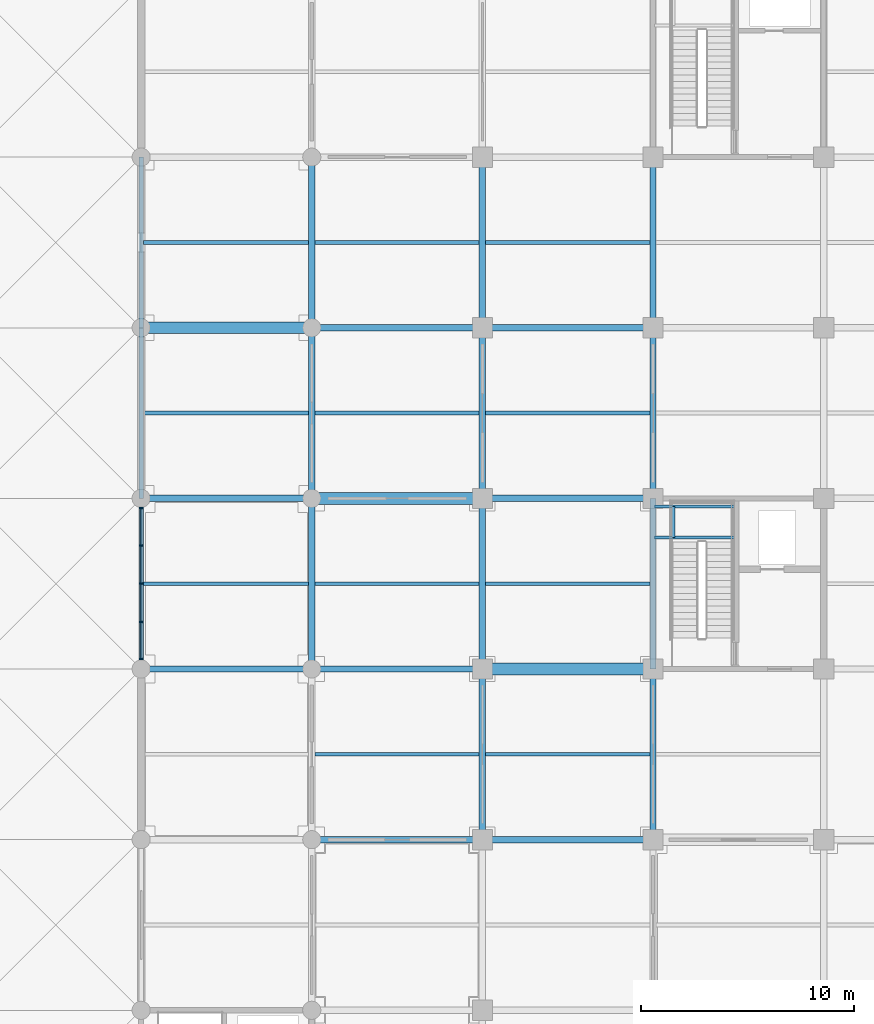
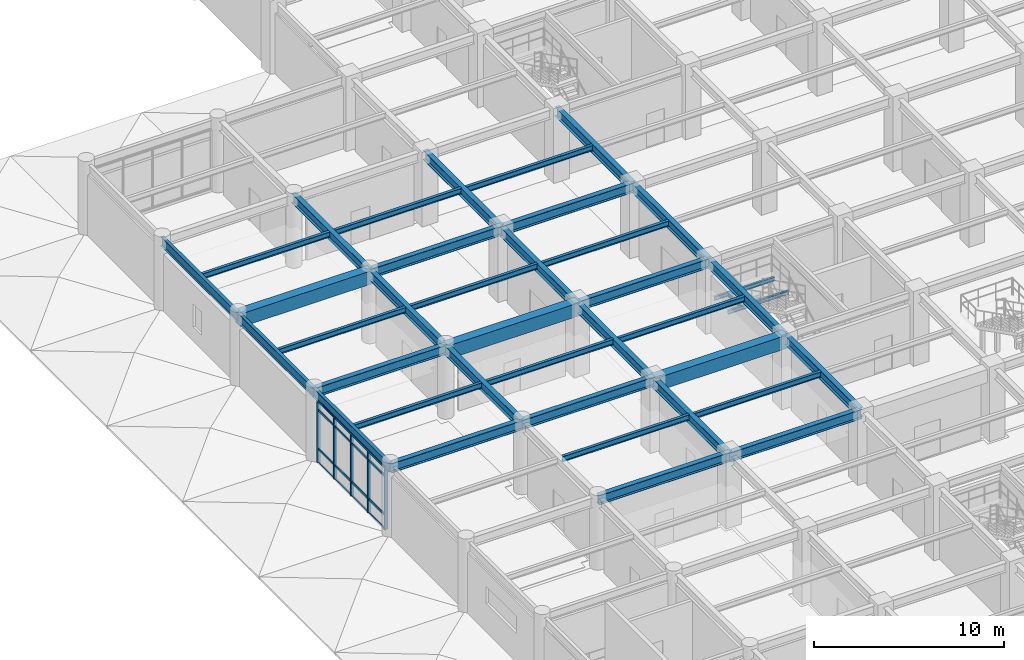
# One storey, part 17 of 109: 39 beams, 21 members, 1 element without a shape of its own.
"""IFC4 building model written with IfcOpenShell, lengths in metres."""

import ifcopenshell
import ifcopenshell.guid

model = None  # the IFC model being written
_history = None  # IfcOwnerHistory: only IFC2X3 demands one
_inside = {}  # id of a spatial element -> (the spatial element, [elements in it])
_under = {}  # id of a project, library or spatial element -> (it, [spatial elements below it])
_declared = {}  # id of a project -> (the project, [libraries it declares])
_typed = {}  # id of a type object -> (the type object, [elements of that type])
_made_of = {}  # id of a material, layer set ... -> (it, [elements and type objects made of it])


def new_model(schema):
    """Start an empty IFC model of exactly this schema.

    Asked for "IFC4X3", IfcOpenShell would pick the latest addendum, in which some entities
    have other attributes; the version numbers below select the first issue.
    IFC2X3 requires an IfcOwnerHistory on every rooted entity: one is made here for all.
    """
    global model, _history
    if schema == "IFC4X3":
        model = ifcopenshell.file(schema_version=(4, 3, 0, 0))
    else:
        model = ifcopenshell.file(schema=schema)
    _inside.clear()
    _under.clear()
    _declared.clear()
    _typed.clear()
    _made_of.clear()
    _history = None
    if model.schema == "IFC2X3":
        org = make("IfcOrganization", Name="unknown")
        user = make(
            "IfcPersonAndOrganization",
            ThePerson=make("IfcPerson", FamilyName="unknown"),
            TheOrganization=org,
        )
        app = make(
            "IfcApplication",
            ApplicationDeveloper=org,
            Version="unknown",
            ApplicationFullName="unknown",
            ApplicationIdentifier="unknown",
        )
        _history = make(
            "IfcOwnerHistory",
            OwningUser=user,
            OwningApplication=app,
            ChangeAction="ADDED",
            CreationDate=0,
        )
    return model


def make(cls, **values):
    """One entity of the class cls with the attributes given. An attribute that is None is left unset."""
    return model.create_entity(
        cls, **{name: value for name, value in values.items() if value is not None}
    )


def rooted(cls, **values):
    """An entity with a GlobalId (a new one), such as an element, a storey or a relation."""
    return make(cls, GlobalId=ifcopenshell.guid.new(), OwnerHistory=_history, **values)


def si_unit(unit_type, name, prefix=None):
    """IfcSIUnit, for example si_unit("LENGTHUNIT", "METRE", prefix="MILLI")."""
    return make("IfcSIUnit", UnitType=unit_type, Prefix=prefix, Name=name)


def assignment(units):
    """IfcUnitAssignment: the units of a project."""
    return None if units is None else make("IfcUnitAssignment", Units=units)


def point(xyz):
    """IfcCartesianPoint."""
    return None if xyz is None else make("IfcCartesianPoint", Coordinates=xyz)


def direction(xyz):
    """IfcDirection."""
    return None if xyz is None else make("IfcDirection", DirectionRatios=xyz)


def frame(location, z_axis=None, x_axis=None):
    """IfcAxis2Placement3D, a coordinate frame: its origin and axes. An axis left out is left unset."""
    return make(
        "IfcAxis2Placement3D",
        Location=point(location),
        Axis=direction(z_axis),
        RefDirection=direction(x_axis),
    )


def frame_2d(location, x_axis=None):
    """IfcAxis2Placement2D, a coordinate frame in the plane: its origin and x axis."""
    return make(
        "IfcAxis2Placement2D", Location=point(location), RefDirection=direction(x_axis)
    )


def origin():
    """The frame at (0, 0, 0) with its axes left unset."""
    return frame((0.0, 0.0, 0.0))


def origin_2d():
    """The frame at (0, 0) in the plane with its x axis left unset."""
    return frame_2d((0.0, 0.0))


def place(relative_to, where):
    """IfcLocalPlacement: puts the frame where relative to a parent placement (None: the world)."""
    return make(
        "IfcLocalPlacement", PlacementRelTo=relative_to, RelativePlacement=where
    )


def context(
    kind, dimensions, precision=None, world=None, true_north=None, identifier=None
):
    """IfcGeometricRepresentationContext, for example the 3D "Model" context."""
    return make(
        "IfcGeometricRepresentationContext",
        ContextIdentifier=identifier,
        ContextType=kind,
        CoordinateSpaceDimension=dimensions,
        Precision=precision,
        WorldCoordinateSystem=world,
        TrueNorth=true_north,
    )


def subcontext(parent, identifier, kind, view, scale=None):
    """IfcGeometricRepresentationSubContext, for example "Body" below "Model"."""
    return make(
        "IfcGeometricRepresentationSubContext",
        ContextIdentifier=identifier,
        ContextType=kind,
        ParentContext=parent,
        TargetScale=scale,
        TargetView=view,
    )


def project(units=None, contexts=None):
    """IfcProject with its units and contexts."""
    return rooted(
        "IfcProject",
        Name="project",
        RepresentationContexts=contexts,
        UnitsInContext=assignment(units),
    )


def spatial(cls, under=None, at=None, **own):
    """A site, building, storey or space (cls), placed at a placement, below another one or the project."""
    s = rooted(cls, ObjectPlacement=at, **own)
    if under is not None:
        _under.setdefault(under.id(), (under, []))[1].append(s)
    return s


def profile(cls, at=None, kind="AREA", **sizes):
    """A parametric profile (cls). Its sizes go by their IFC names, for example OverallWidth=200.0."""
    return make(cls, ProfileType=kind, Position=at, **sizes)


def rectangle(**sizes):
    """IfcRectangleProfileDef."""
    return profile("IfcRectangleProfileDef", **sizes)


def i_section(**sizes):
    """IfcIShapeProfileDef."""
    return profile("IfcIShapeProfileDef", **sizes)


def extrude(swept, where, along, depth):
    """IfcExtrudedAreaSolid: the profile swept, set in the frame where, extruded along a direction by depth."""
    return make(
        "IfcExtrudedAreaSolid",
        SweptArea=swept,
        Position=where,
        ExtrudedDirection=direction(along),
        Depth=depth,
    )


def shape(context_of_items, identifier, shape_type, items):
    """IfcShapeRepresentation: the items that make up one representation, for example the "Body"."""
    return make(
        "IfcShapeRepresentation",
        ContextOfItems=context_of_items,
        RepresentationIdentifier=identifier,
        RepresentationType=shape_type,
        Items=items,
    )


def material(Name=None, Category=None):
    """IfcMaterial."""
    return make("IfcMaterial", Name=Name, Category=Category)


def layer(
    of_material, thickness, ventilated=None, Name=None, Category=None, Priority=None
):
    """IfcMaterialLayer: one layer of a wall or slab, of a material (None: an air gap)."""
    return make(
        "IfcMaterialLayer",
        Material=of_material,
        LayerThickness=thickness,
        IsVentilated=ventilated,
        Name=Name,
        Category=Category,
        Priority=Priority,
    )


def layer_set(layers, Name=None):
    """IfcMaterialLayerSet."""
    return make("IfcMaterialLayerSet", MaterialLayers=layers, LayerSetName=Name)


def material_profile(
    of_material, cross_section, Name=None, Category=None, Priority=None
):
    """IfcMaterialProfile: a cross section and its material."""
    return make(
        "IfcMaterialProfile",
        Name=Name,
        Material=of_material,
        Profile=cross_section,
        Priority=Priority,
        Category=Category,
    )


def profile_set(profiles, Name=None, composite=None):
    """IfcMaterialProfileSet."""
    return make(
        "IfcMaterialProfileSet",
        Name=Name,
        MaterialProfiles=profiles,
        CompositeProfile=composite,
    )


def made_of(thing, what):
    """Note that an element or type object is made of a material, layer set ...; save() writes the relation."""
    if what is not None:
        _made_of.setdefault(what.id(), (what, []))[1].append(thing)
    return thing


def type_object(cls, material=None, **own):
    """A type object (cls), such as IfcWallType, which elements share."""
    return made_of(rooted(cls, **own), material)


def element(
    cls,
    number,
    at=None,
    inside=None,
    cuts=None,
    type_object=None,
    material=None,
    context=None,
    identifier="Body",
    shape_type=None,
    held_by="IfcProductDefinitionShape",
    body=None,
    shapes=None,
    **own,
):
    """One element of the class cls, such as IfcWall. Its Tag is "e" and its number.

    at: its placement. inside: the storey or other place that contains it. cuts: it is an
    opening in that element (IfcRelVoidsElement). A single representation is given by context,
    identifier, shape_type and body (its items); several are given by shapes. held_by: the class
    of the entity that holds the representations. save() writes the other relations.
    """
    e = rooted(cls, Tag="e%d" % number, ObjectPlacement=at, **own)
    if body is not None:
        shapes = [shape(context, identifier, shape_type, body)]
    if shapes is not None:
        e.Representation = make(held_by, Representations=shapes)
    if inside is not None:
        _inside.setdefault(inside.id(), (inside, []))[1].append(e)
    if cuts is not None:
        rooted(
            "IfcRelVoidsElement", RelatingBuildingElement=cuts, RelatedOpeningElement=e
        )
    if type_object is not None:
        _typed.setdefault(type_object.id(), (type_object, []))[1].append(e)
    return made_of(e, material)


def aggregate(whole, parts):
    """IfcRelAggregates: a whole, such as a stair, and the parts it consists of."""
    return rooted("IfcRelAggregates", RelatingObject=whole, RelatedObjects=parts)


def save(model, path):
    """Write the relations noted so far, then the file.

    IfcRelAggregates (storeys below a building ...), IfcRelContainedInSpatialStructure (elements
    in a storey), IfcRelDefinesByType, IfcRelAssociatesMaterial and IfcRelDeclares: one each for
    every whole, place, type object, material and project.
    """
    for whole, parts in _under.values():
        aggregate(whole, parts)
    for where, things in _inside.values():
        rooted(
            "IfcRelContainedInSpatialStructure",
            RelatedElements=things,
            RelatingStructure=where,
        )
    for kind, things in _typed.values():
        rooted("IfcRelDefinesByType", RelatedObjects=things, RelatingType=kind)
    for what, things in _made_of.values():
        rooted("IfcRelAssociatesMaterial", RelatedObjects=things, RelatingMaterial=what)
    for by, libraries in _declared.values():
        rooted("IfcRelDeclares", RelatingContext=by, RelatedDefinitions=libraries)
    model.write(path)


model = new_model("IFC4")

# Units and contexts
model_context = context("Model", 3, precision=1e-05, world=origin(), true_north=direction((0.0, 1.0)))
body_context = subcontext(model_context, "Body", "Model", "MODEL_VIEW")
ifc_project = project(units=[si_unit("LENGTHUNIT", "METRE"), si_unit("AREAUNIT", "SQUARE_METRE"), si_unit("VOLUMEUNIT", "CUBIC_METRE"), si_unit("PLANEANGLEUNIT", "RADIAN"), si_unit("MASSUNIT", "GRAM", prefix="KILO")], contexts=[model_context])

# Site, building, storey
site_placement = place(None, origin())
site = spatial("IfcSite", under=ifc_project, at=site_placement, CompositionType="ELEMENT")
building_placement = place(site_placement, origin())
building = spatial("IfcBuilding", under=site, at=building_placement, Name="Haebicheon Civic Stadium", CompositionType="ELEMENT")
storey_placement = place(building_placement, frame((0.0, 0.0, 9.60009765625)))
storey = spatial("IfcBuildingStorey", under=building, at=storey_placement, Name="L03", CompositionType="ELEMENT", Elevation=9.60009765625)

# Beams
ifc_material_1 = material(Name="Concrete C40/50", Category="concrete")
ifc_material_profile_1 = material_profile(ifc_material_1, rectangle(XDim=0.550048828125, YDim=0.85009765625, at=origin_2d()), Name="RC-BM-550x850")
ifc_profile_set_1 = profile_set([ifc_material_profile_1], Name="Concrete C40/50")
beam_type_1 = type_object("IfcBeamType", Name="BM-RC-550x850", PredefinedType="BEAM", material=ifc_profile_set_1)
for number, where, z_axis, x_axis, name in (
    (1, (8.0, 120.0, 4.15478515625), (1.0, 0.0, 0.0), (0.0, 1.0, 0.0), "L03 beam R/2-3"),
    (2, (16.0, 112.0, 4.15478515625), (1.0, 0.0, 0.0), (0.0, 1.0, 0.0), "L03 beam Q/3-4"),
    (3, (24.0, 104.0, 4.114990234375), (1.0, 0.0, 0.0), (0.0, 1.0, 0.0), "L03 beam P/4-5"),
):
    element("IfcBeam", number, at=place(storey_placement, frame(where, z_axis=z_axis, x_axis=x_axis)), inside=storey, type_object=beam_type_1, material=ifc_profile_set_1, Name=name, PredefinedType="BEAM", context=body_context, shape_type="SweptSolid", body=[
        extrude(rectangle(XDim=0.550048828125, YDim=0.85009765625, at=origin_2d()), origin(), (0.0, 0.0, 1.0), 8.0),
    ])
ifc_material_2 = material(Name="Steel SM355 (S355)", Category="steel")
ifc_material_profile_2 = material_profile(ifc_material_2, i_section(OverallWidth=0.300048828125, OverallDepth=0.60009765625, WebThickness=0.011962890625, FlangeThickness=0.02001953125, at=origin_2d()), Name="H-600x300x12x20")
ifc_profile_set_2 = profile_set([ifc_material_profile_2], Name="Steel SM355 (S355)")
beam_type_2 = type_object("IfcBeamType", Name="BM-ST-H600A", PredefinedType="BEAM", material=ifc_profile_set_2)
for number, where, z_axis, x_axis, name in (
    (4, (16.0, 104.0, 4.27978515625), (0.0, 1.0, 0.0), (-1.0, 0.0, 0.0), "L03 girder 3/P-Q"),
    (5, (16.0, 112.0, 4.27978515625), (0.0, 1.0, 0.0), (-1.0, 0.0, 0.0), "L03 girder 3/Q-R"),
    (6, (16.0, 120.0, 4.27978515625), (0.0, 1.0, 0.0), (-1.0, 0.0, 0.0), "L03 girder 3/R-S"),
    (7, (24.0, 96.0, 4.239990234375), (0.0, 1.0, 0.0), (-1.0, 0.0, 0.0), "L03 girder 4/N-P"),
    (8, (24.0, 104.0, 4.239990234375), (0.0, 1.0, 0.0), (-1.0, 0.0, 0.0), "L03 girder 4/P-Q"),
    (9, (24.0, 112.0, 4.239990234375), (0.0, 1.0, 0.0), (-1.0, 0.0, 0.0), "L03 girder 4/Q-R"),
    (10, (24.0, 120.0, 4.239990234375), (0.0, 1.0, 0.0), (-1.0, 0.0, 0.0), "L03 girder 4/R-S"),
    (11, (32.0, 96.0, 4.239990234375), (0.0, 1.0, 0.0), (-1.0, 0.0, 0.0), "L03 girder 5/N-P"),
    (12, (32.0, 104.0, 4.239990234375), (0.0, 1.0, 0.0), (-1.0, 0.0, 0.0), "L03 girder 5/P-Q"),
    (13, (32.0, 112.0, 4.239990234375), (0.0, 1.0, 0.0), (-1.0, 0.0, 0.0), "L03 girder 5/Q-R"),
    (14, (32.0, 120.0, 4.239990234375), (0.0, 1.0, 0.0), (-1.0, 0.0, 0.0), "L03 girder 5/R-S"),
    (15, (8.0, 104.0, 4.27978515625), (1.0, 0.0, 0.0), (0.0, 1.0, 0.0), "L03 beam P/2-3"),
    (16, (8.0, 112.0, 4.27978515625), (1.0, 0.0, 0.0), (0.0, 1.0, 0.0), "L03 beam Q/2-3"),
    (17, (16.0, 96.0, 4.27978515625), (1.0, 0.0, 0.0), (0.0, 1.0, 0.0), "L03 beam N/3-4"),
    (18, (16.0, 104.0, 4.27978515625), (1.0, 0.0, 0.0), (0.0, 1.0, 0.0), "L03 beam P/3-4"),
    (19, (16.0, 120.0, 4.27978515625), (1.0, 0.0, 0.0), (0.0, 1.0, 0.0), "L03 beam R/3-4"),
    (20, (24.0, 96.0, 4.239990234375), (1.0, 0.0, 0.0), (0.0, 1.0, 0.0), "L03 beam N/4-5"),
    (21, (24.0, 112.0, 4.239990234375), (1.0, 0.0, 0.0), (0.0, 1.0, 0.0), "L03 beam Q/4-5"),
    (22, (24.0, 120.0, 4.239990234375), (1.0, 0.0, 0.0), (0.0, 1.0, 0.0), "L03 beam R/4-5"),
):
    element("IfcBeam", number, at=place(storey_placement, frame(where, z_axis=z_axis, x_axis=x_axis)), inside=storey, type_object=beam_type_2, material=ifc_profile_set_2, Name=name, PredefinedType="BEAM", context=body_context, shape_type="SweptSolid", body=[
        extrude(i_section(OverallWidth=0.300048828125, OverallDepth=0.60009765625, WebThickness=0.011962890625, FlangeThickness=0.02001953125, at=origin_2d()), origin(), (0.0, 0.0, 1.0), 8.0),
    ])

# Curtain wall, members
ifc_material_3 = material(Name="Anodised aluminium and laminated glass", Category="aluminium")
ifc_layer = layer(ifc_material_3, 0.179931640625, Name="Anodised aluminium and laminated glass")
ifc_layer_set = layer_set([ifc_layer], Name="Anodised aluminium and laminated glass")
curtain_wall_type = type_object("IfcCurtainWallType", Name="CW-7150x3950", PredefinedType="NOTDEFINED", material=ifc_layer_set)
curtain_wall_placement = place(storey_placement, origin())
curtain_wall = element("IfcCurtainWall", 23, at=curtain_wall_placement, inside=storey, type_object=curtain_wall_type, material=ifc_layer_set, Name="L03 unitised curtain wall 070", PredefinedType="NOTDEFINED")
ifc_material_4 = material(Name="Anodised aluminium 6063-T6", Category="aluminium")
ifc_material_profile_3 = material_profile(ifc_material_4, rectangle(XDim=0.070068359375, YDim=0.199951171875, at=origin_2d()), Name="ALU-MULL-70x200")
ifc_profile_set_3 = profile_set([ifc_material_profile_3], Name="Anodised aluminium 6063-T6")
member_type_1 = type_object("IfcMemberType", Name="CWM-200x70", PredefinedType="MULLION", material=ifc_profile_set_3)
member_1_placement = place(storey_placement, frame((8.0, 104.4599609375, 0.0), z_axis=(0.0, 0.0, 1.0), x_axis=(0.0, 1.0, 0.0)))
member_1 = element("IfcMember", 24, at=member_1_placement, type_object=member_type_1, material=ifc_profile_set_3, Name="CW-L03-070 vertical mullion 1", PredefinedType="MULLION", context=body_context, shape_type="SweptSolid", body=[
    extrude(rectangle(XDim=0.070068359375, YDim=0.199951171875, at=origin_2d()), origin(), (0.0, 0.0, 1.0), 3.949951171875),
])
member_2_placement = place(storey_placement, frame((8.0, 106.212890625, 0.0), z_axis=(0.0, 0.0, 1.0), x_axis=(0.0, 1.0, 0.0)))
member_2 = element("IfcMember", 25, at=member_2_placement, type_object=member_type_1, material=ifc_profile_set_3, Name="CW-L03-070 vertical mullion 2", PredefinedType="MULLION", context=body_context, shape_type="SweptSolid", body=[
    extrude(rectangle(XDim=0.070068359375, YDim=0.199951171875, at=origin_2d()), origin(), (0.0, 0.0, 1.0), 3.949951171875),
])
member_3_placement = place(storey_placement, frame((8.0, 108.0, 0.0), z_axis=(0.0, 0.0, 1.0), x_axis=(0.0, 1.0, 0.0)))
member_3 = element("IfcMember", 26, at=member_3_placement, type_object=member_type_1, material=ifc_profile_set_3, Name="CW-L03-070 vertical mullion 3", PredefinedType="MULLION", context=body_context, shape_type="SweptSolid", body=[
    extrude(rectangle(XDim=0.070068359375, YDim=0.199951171875, at=origin_2d()), origin(), (0.0, 0.0, 1.0), 3.949951171875),
])
member_4_placement = place(storey_placement, frame((8.0, 109.7880859375, 0.0), z_axis=(0.0, 0.0, 1.0), x_axis=(0.0, 1.0, 0.0)))
member_4 = element("IfcMember", 27, at=member_4_placement, type_object=member_type_1, material=ifc_profile_set_3, Name="CW-L03-070 vertical mullion 4", PredefinedType="MULLION", context=body_context, shape_type="SweptSolid", body=[
    extrude(rectangle(XDim=0.070068359375, YDim=0.199951171875, at=origin_2d()), origin(), (0.0, 0.0, 1.0), 3.949951171875),
])
member_5_placement = place(storey_placement, frame((8.0, 111.5400390625, 0.0), z_axis=(0.0, 0.0, 1.0), x_axis=(0.0, 1.0, 0.0)))
member_5 = element("IfcMember", 28, at=member_5_placement, type_object=member_type_1, material=ifc_profile_set_3, Name="CW-L03-070 vertical mullion 5", PredefinedType="MULLION", context=body_context, shape_type="SweptSolid", body=[
    extrude(rectangle(XDim=0.070068359375, YDim=0.199951171875, at=origin_2d()), origin(), (0.0, 0.0, 1.0), 3.949951171875),
])
ifc_material_5 = material(Name="Anodised aluminium 6063-T6", Category="aluminium")
ifc_material_profile_4 = material_profile(ifc_material_5, rectangle(XDim=0.070068359375, YDim=0.14990234375, at=origin_2d()), Name="ALU-TRAN-70x150")
ifc_profile_set_4 = profile_set([ifc_material_profile_4], Name="Anodised aluminium 6063-T6")
member_type_2 = type_object("IfcMemberType", Name="CWT-150x70", PredefinedType="NOTDEFINED", material=ifc_profile_set_4)
member_6_placement = place(storey_placement, frame((8.0, 104.4951171875, 0.0), z_axis=(0.0, 1.0, 0.0), x_axis=(-1.0, 0.0, 0.0)))
member_6 = element("IfcMember", 29, at=member_6_placement, type_object=member_type_2, material=ifc_profile_set_4, Name="CW-L03-070 horizontal transom 1.1", ObjectType="TRANSOM", PredefinedType="USERDEFINED", context=body_context, shape_type="SweptSolid", body=[
    extrude(rectangle(XDim=0.070068359375, YDim=0.14990234375, at=origin_2d()), origin(), (0.0, 0.0, 1.0), 1.682861328125),
])
member_7_placement = place(storey_placement, frame((8.0, 104.4951171875, 0.89990234375), z_axis=(0.0, 1.0, 0.0), x_axis=(-1.0, 0.0, 0.0)))
member_7 = element("IfcMember", 30, at=member_7_placement, type_object=member_type_2, material=ifc_profile_set_4, Name="CW-L03-070 horizontal transom 1.2", ObjectType="TRANSOM", PredefinedType="USERDEFINED", context=body_context, shape_type="SweptSolid", body=[
    extrude(rectangle(XDim=0.070068359375, YDim=0.14990234375, at=origin_2d()), origin(), (0.0, 0.0, 1.0), 1.682861328125),
])
member_8_placement = place(storey_placement, frame((8.0, 104.4951171875, 3.39990234375), z_axis=(0.0, 1.0, 0.0), x_axis=(-1.0, 0.0, 0.0)))
member_8 = element("IfcMember", 31, at=member_8_placement, type_object=member_type_2, material=ifc_profile_set_4, Name="CW-L03-070 horizontal transom 1.3", ObjectType="TRANSOM", PredefinedType="USERDEFINED", context=body_context, shape_type="SweptSolid", body=[
    extrude(rectangle(XDim=0.070068359375, YDim=0.14990234375, at=origin_2d()), origin(), (0.0, 0.0, 1.0), 1.682861328125),
])
member_9_placement = place(storey_placement, frame((8.0, 104.4951171875, 3.949951171875), z_axis=(0.0, 1.0, 0.0), x_axis=(-1.0, 0.0, 0.0)))
member_9 = element("IfcMember", 32, at=member_9_placement, type_object=member_type_2, material=ifc_profile_set_4, Name="CW-L03-070 horizontal transom 1.4", ObjectType="TRANSOM", PredefinedType="USERDEFINED", context=body_context, shape_type="SweptSolid", body=[
    extrude(rectangle(XDim=0.070068359375, YDim=0.14990234375, at=origin_2d()), origin(), (0.0, 0.0, 1.0), 1.682861328125),
])
member_10_placement = place(storey_placement, frame((8.0, 106.248046875, 0.0), z_axis=(0.0, 1.0, 0.0), x_axis=(-1.0, 0.0, 0.0)))
member_10 = element("IfcMember", 33, at=member_10_placement, type_object=member_type_2, material=ifc_profile_set_4, Name="CW-L03-070 horizontal transom 2.1", ObjectType="TRANSOM", PredefinedType="USERDEFINED", context=body_context, shape_type="SweptSolid", body=[
    extrude(rectangle(XDim=0.070068359375, YDim=0.14990234375, at=origin_2d()), origin(), (0.0, 0.0, 1.0), 1.717041015625),
])
member_11_placement = place(storey_placement, frame((8.0, 106.248046875, 0.89990234375), z_axis=(0.0, 1.0, 0.0), x_axis=(-1.0, 0.0, 0.0)))
member_11 = element("IfcMember", 34, at=member_11_placement, type_object=member_type_2, material=ifc_profile_set_4, Name="CW-L03-070 horizontal transom 2.2", ObjectType="TRANSOM", PredefinedType="USERDEFINED", context=body_context, shape_type="SweptSolid", body=[
    extrude(rectangle(XDim=0.070068359375, YDim=0.14990234375, at=origin_2d()), origin(), (0.0, 0.0, 1.0), 1.717041015625),
])
member_12_placement = place(storey_placement, frame((8.0, 106.248046875, 3.39990234375), z_axis=(0.0, 1.0, 0.0), x_axis=(-1.0, 0.0, 0.0)))
member_12 = element("IfcMember", 35, at=member_12_placement, type_object=member_type_2, material=ifc_profile_set_4, Name="CW-L03-070 horizontal transom 2.3", ObjectType="TRANSOM", PredefinedType="USERDEFINED", context=body_context, shape_type="SweptSolid", body=[
    extrude(rectangle(XDim=0.070068359375, YDim=0.14990234375, at=origin_2d()), origin(), (0.0, 0.0, 1.0), 1.717041015625),
])
member_13_placement = place(storey_placement, frame((8.0, 106.248046875, 3.949951171875), z_axis=(0.0, 1.0, 0.0), x_axis=(-1.0, 0.0, 0.0)))
member_13 = element("IfcMember", 36, at=member_13_placement, type_object=member_type_2, material=ifc_profile_set_4, Name="CW-L03-070 horizontal transom 2.4", ObjectType="TRANSOM", PredefinedType="USERDEFINED", context=body_context, shape_type="SweptSolid", body=[
    extrude(rectangle(XDim=0.070068359375, YDim=0.14990234375, at=origin_2d()), origin(), (0.0, 0.0, 1.0), 1.717041015625),
])
member_14_placement = place(storey_placement, frame((8.0, 108.034912109375, 0.0), z_axis=(0.0, 1.0, 0.0), x_axis=(-1.0, 0.0, 0.0)))
member_14 = element("IfcMember", 37, at=member_14_placement, type_object=member_type_2, material=ifc_profile_set_4, Name="CW-L03-070 horizontal transom 3.1", ObjectType="TRANSOM", PredefinedType="USERDEFINED", context=body_context, shape_type="SweptSolid", body=[
    extrude(rectangle(XDim=0.070068359375, YDim=0.14990234375, at=origin_2d()), origin(), (0.0, 0.0, 1.0), 1.718017578125),
])
member_15_placement = place(storey_placement, frame((8.0, 108.034912109375, 0.89990234375), z_axis=(0.0, 1.0, 0.0), x_axis=(-1.0, 0.0, 0.0)))
member_15 = element("IfcMember", 38, at=member_15_placement, type_object=member_type_2, material=ifc_profile_set_4, Name="CW-L03-070 horizontal transom 3.2", ObjectType="TRANSOM", PredefinedType="USERDEFINED", context=body_context, shape_type="SweptSolid", body=[
    extrude(rectangle(XDim=0.070068359375, YDim=0.14990234375, at=origin_2d()), origin(), (0.0, 0.0, 1.0), 1.718017578125),
])
member_16_placement = place(storey_placement, frame((8.0, 108.034912109375, 3.39990234375), z_axis=(0.0, 1.0, 0.0), x_axis=(-1.0, 0.0, 0.0)))
member_16 = element("IfcMember", 39, at=member_16_placement, type_object=member_type_2, material=ifc_profile_set_4, Name="CW-L03-070 horizontal transom 3.3", ObjectType="TRANSOM", PredefinedType="USERDEFINED", context=body_context, shape_type="SweptSolid", body=[
    extrude(rectangle(XDim=0.070068359375, YDim=0.14990234375, at=origin_2d()), origin(), (0.0, 0.0, 1.0), 1.718017578125),
])
member_17_placement = place(storey_placement, frame((8.0, 108.034912109375, 3.949951171875), z_axis=(0.0, 1.0, 0.0), x_axis=(-1.0, 0.0, 0.0)))
member_17 = element("IfcMember", 40, at=member_17_placement, type_object=member_type_2, material=ifc_profile_set_4, Name="CW-L03-070 horizontal transom 3.4", ObjectType="TRANSOM", PredefinedType="USERDEFINED", context=body_context, shape_type="SweptSolid", body=[
    extrude(rectangle(XDim=0.070068359375, YDim=0.14990234375, at=origin_2d()), origin(), (0.0, 0.0, 1.0), 1.718017578125),
])
member_18_placement = place(storey_placement, frame((8.0, 109.822998046875, 0.0), z_axis=(0.0, 1.0, 0.0), x_axis=(-1.0, 0.0, 0.0)))
member_18 = element("IfcMember", 41, at=member_18_placement, type_object=member_type_2, material=ifc_profile_set_4, Name="CW-L03-070 horizontal transom 4.1", ObjectType="TRANSOM", PredefinedType="USERDEFINED", context=body_context, shape_type="SweptSolid", body=[
    extrude(rectangle(XDim=0.070068359375, YDim=0.14990234375, at=origin_2d()), origin(), (0.0, 0.0, 1.0), 1.681884765625),
])
member_19_placement = place(storey_placement, frame((8.0, 109.822998046875, 0.89990234375), z_axis=(0.0, 1.0, 0.0), x_axis=(-1.0, 0.0, 0.0)))
member_19 = element("IfcMember", 42, at=member_19_placement, type_object=member_type_2, material=ifc_profile_set_4, Name="CW-L03-070 horizontal transom 4.2", ObjectType="TRANSOM", PredefinedType="USERDEFINED", context=body_context, shape_type="SweptSolid", body=[
    extrude(rectangle(XDim=0.070068359375, YDim=0.14990234375, at=origin_2d()), origin(), (0.0, 0.0, 1.0), 1.681884765625),
])
member_20_placement = place(storey_placement, frame((8.0, 109.822998046875, 3.39990234375), z_axis=(0.0, 1.0, 0.0), x_axis=(-1.0, 0.0, 0.0)))
member_20 = element("IfcMember", 43, at=member_20_placement, type_object=member_type_2, material=ifc_profile_set_4, Name="CW-L03-070 horizontal transom 4.3", ObjectType="TRANSOM", PredefinedType="USERDEFINED", context=body_context, shape_type="SweptSolid", body=[
    extrude(rectangle(XDim=0.070068359375, YDim=0.14990234375, at=origin_2d()), origin(), (0.0, 0.0, 1.0), 1.681884765625),
])
member_21_placement = place(storey_placement, frame((8.0, 109.822998046875, 3.949951171875), z_axis=(0.0, 1.0, 0.0), x_axis=(-1.0, 0.0, 0.0)))
member_21 = element("IfcMember", 44, at=member_21_placement, type_object=member_type_2, material=ifc_profile_set_4, Name="CW-L03-070 horizontal transom 4.4", ObjectType="TRANSOM", PredefinedType="USERDEFINED", context=body_context, shape_type="SweptSolid", body=[
    extrude(rectangle(XDim=0.070068359375, YDim=0.14990234375, at=origin_2d()), origin(), (0.0, 0.0, 1.0), 1.681884765625),
])
aggregate(curtain_wall, [member_1, member_2, member_3, member_4, member_5, member_6, member_7, member_8, member_9, member_10, member_11, member_12, member_13, member_14, member_15, member_16, member_17, member_18, member_19, member_20, member_21])

# Beams
ifc_material_6 = material(Name="Steel SM355 (S355)", Category="steel")
ifc_material_profile_5 = material_profile(ifc_material_6, i_section(OverallWidth=0.125, OverallDepth=0.25, WebThickness=0.006103515625, FlangeThickness=0.009033203125, at=origin_2d()), Name="H-250x125x6x9")
ifc_profile_set_5 = profile_set([ifc_material_profile_5], Name="Steel SM355 (S355)")
beam_type_3 = type_object("IfcBeamType", Name="JST-ST-H250", PredefinedType="JOIST", material=ifc_profile_set_5)
for number, where, z_axis, x_axis, name in (
    (45, (32.080078125, 110.169921875, 2.072021484375), (1.0, 0.0, 0.0), (0.0, 1.0, 0.0), "KC-04 L03 stair half-landing front trimmer beam"),
    (46, (32.080078125, 111.6201171875, 2.072021484375), (1.0, 0.0, 0.0), (0.0, 1.0, 0.0), "KC-04 L03 stair half-landing rear trimmer beam"),
):
    element("IfcBeam", number, at=place(storey_placement, frame(where, z_axis=z_axis, x_axis=x_axis)), inside=storey, type_object=beam_type_3, material=ifc_profile_set_5, Name=name, PredefinedType="JOIST", context=body_context, shape_type="SweptSolid", body=[
        extrude(i_section(OverallWidth=0.125, OverallDepth=0.25, WebThickness=0.006103515625, FlangeThickness=0.009033203125, at=origin_2d()), origin(), (0.0, 0.0, 1.0), 3.719970703125),
    ])
beam_placement = place(storey_placement, frame((32.9599609375, 110.169921875, 2.072021484375), z_axis=(0.0, 1.0, 0.0), x_axis=(-1.0, 0.0, 0.0)))
element("IfcBeam", 47, at=beam_placement, inside=storey, type_object=beam_type_3, material=ifc_profile_set_5, Name="KC-04 L03 stair half-landing transverse tie beam", PredefinedType="JOIST", context=body_context, shape_type="SweptSolid", body=[
    extrude(i_section(OverallWidth=0.125, OverallDepth=0.25, WebThickness=0.006103515625, FlangeThickness=0.009033203125, at=origin_2d()), origin(), (0.0, 0.0, 1.0), 1.4501953125),
])
ifc_material_7 = material(Name="Steel SM355 (S355)", Category="steel")
ifc_material_profile_6 = material_profile(ifc_material_7, i_section(OverallWidth=0.175048828125, OverallDepth=0.35009765625, WebThickness=0.007080078125, FlangeThickness=0.010986328125, at=origin_2d()), Name="H-350x175x7x11")
ifc_profile_set_6 = profile_set([ifc_material_profile_6], Name="Steel SM355 (S355)")
beam_type_4 = type_object("IfcBeamType", Name="JST-ST-H350", PredefinedType="JOIST", material=ifc_profile_set_6)
for number, where, z_axis, x_axis, name in (
    (48, (8.10009765625, 108.0, 4.40478515625), (1.0, 0.0, 0.0), (0.0, 1.0, 0.0), "L03 secondary joist 01-13"),
    (49, (8.10009765625, 116.0, 4.40478515625), (1.0, 0.0, 0.0), (0.0, 1.0, 0.0), "L03 secondary joist 01-14"),
    (50, (8.10009765625, 124.0, 4.40478515625), (1.0, 0.0, 0.0), (0.0, 1.0, 0.0), "L03 secondary joist 01-15"),
):
    element("IfcBeam", number, at=place(storey_placement, frame(where, z_axis=z_axis, x_axis=x_axis)), inside=storey, type_object=beam_type_4, material=ifc_profile_set_6, Name=name, PredefinedType="JOIST", context=body_context, shape_type="SweptSolid", body=[
        extrude(i_section(OverallWidth=0.175048828125, OverallDepth=0.35009765625, WebThickness=0.007080078125, FlangeThickness=0.010986328125, at=origin_2d()), origin(), (0.0, 0.0, 1.0), 7.75),
    ])
for number, where, z_axis, x_axis, name in (
    (51, (16.14990234375, 100.0, 4.40478515625), (1.0, 0.0, 0.0), (0.0, 1.0, 0.0), "L03 secondary joist 02-12"),
    (52, (16.14990234375, 108.0, 4.40478515625), (1.0, 0.0, 0.0), (0.0, 1.0, 0.0), "L03 secondary joist 02-13"),
    (53, (16.14990234375, 116.0, 4.40478515625), (1.0, 0.0, 0.0), (0.0, 1.0, 0.0), "L03 secondary joist 02-14"),
    (54, (16.14990234375, 124.0, 4.40478515625), (1.0, 0.0, 0.0), (0.0, 1.0, 0.0), "L03 secondary joist 02-15"),
    (55, (24.14990234375, 100.0, 4.364990234375), (1.0, 0.0, 0.0), (0.0, 1.0, 0.0), "L03 secondary joist 03-12"),
    (56, (24.14990234375, 108.0, 4.364990234375), (1.0, 0.0, 0.0), (0.0, 1.0, 0.0), "L03 secondary joist 03-13"),
    (57, (24.14990234375, 116.0, 4.364990234375), (1.0, 0.0, 0.0), (0.0, 1.0, 0.0), "L03 secondary joist 03-14"),
    (58, (24.14990234375, 124.0, 4.364990234375), (1.0, 0.0, 0.0), (0.0, 1.0, 0.0), "L03 secondary joist 03-15"),
):
    element("IfcBeam", number, at=place(storey_placement, frame(where, z_axis=z_axis, x_axis=x_axis)), inside=storey, type_object=beam_type_4, material=ifc_profile_set_6, Name=name, PredefinedType="JOIST", context=body_context, shape_type="SweptSolid", body=[
        extrude(i_section(OverallWidth=0.175048828125, OverallDepth=0.35009765625, WebThickness=0.007080078125, FlangeThickness=0.010986328125, at=origin_2d()), origin(), (0.0, 0.0, 1.0), 7.7001953125),
    ])
ifc_material_8 = material(Name="Steel SM355 (S355)", Category="steel")
ifc_material_profile_7 = material_profile(ifc_material_8, i_section(OverallWidth=0.199951171875, OverallDepth=0.60009765625, WebThickness=0.010986328125, FlangeThickness=0.01708984375, at=origin_2d()), Name="H-600x200x11x17")
ifc_profile_set_7 = profile_set([ifc_material_profile_7], Name="Steel SM355 (S355)")
beam_type_5 = type_object("IfcBeamType", Name="SPD-ST-H600B", PredefinedType="SPANDREL", material=ifc_profile_set_7)
for number, where, z_axis, x_axis, name in (
    (59, (8.0, 104.0, 4.27978515625), (0.0, 1.0, 0.0), (-1.0, 0.0, 0.0), "L03 girder 2/P-Q"),
    (60, (8.0, 112.0, 4.27978515625), (0.0, 1.0, 0.0), (-1.0, 0.0, 0.0), "L03 girder 2/Q-R"),
    (61, (8.0, 120.0, 4.27978515625), (0.0, 1.0, 0.0), (-1.0, 0.0, 0.0), "L03 girder 2/R-S"),
):
    element("IfcBeam", number, at=place(storey_placement, frame(where, z_axis=z_axis, x_axis=x_axis)), inside=storey, type_object=beam_type_5, material=ifc_profile_set_7, Name=name, PredefinedType="SPANDREL", context=body_context, shape_type="SweptSolid", body=[
        extrude(i_section(OverallWidth=0.199951171875, OverallDepth=0.60009765625, WebThickness=0.010986328125, FlangeThickness=0.01708984375, at=origin_2d()), origin(), (0.0, 0.0, 1.0), 8.0),
    ])

save(model, "model.ifc")
